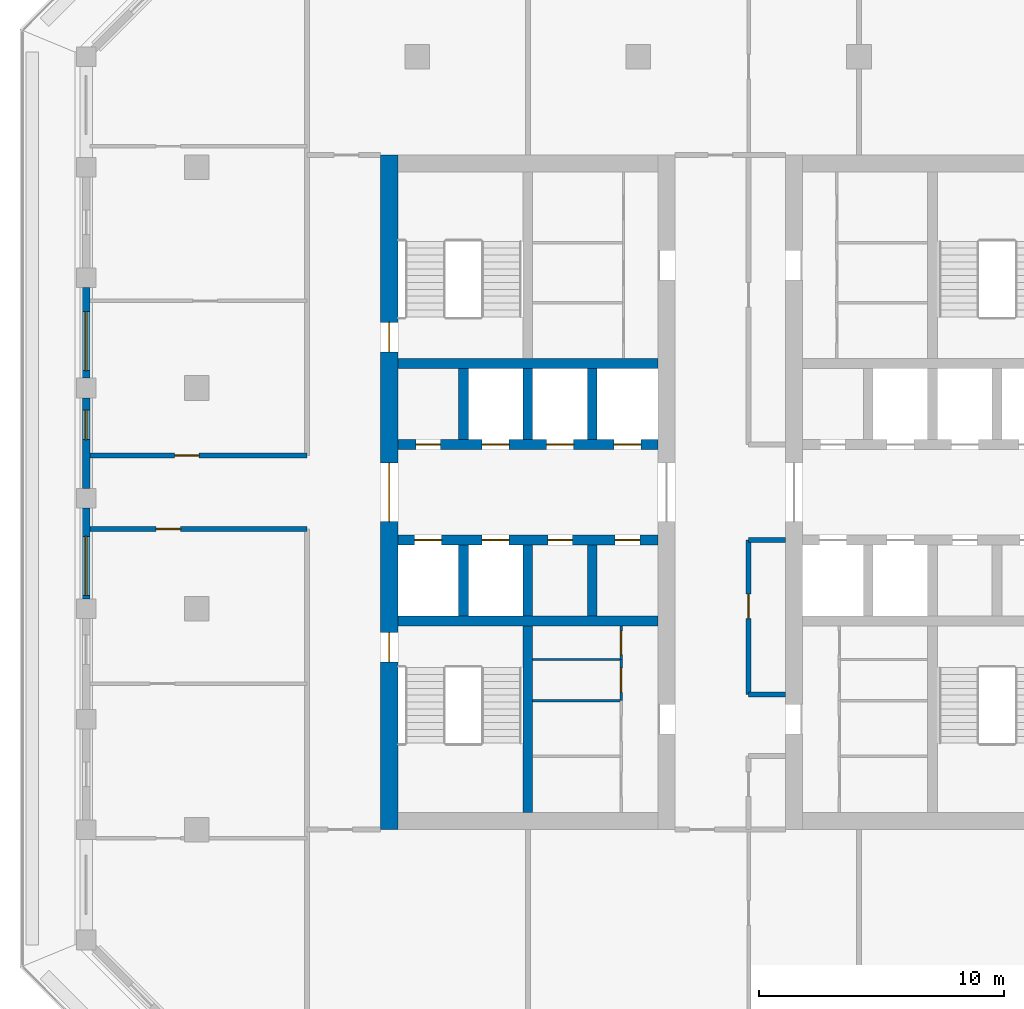
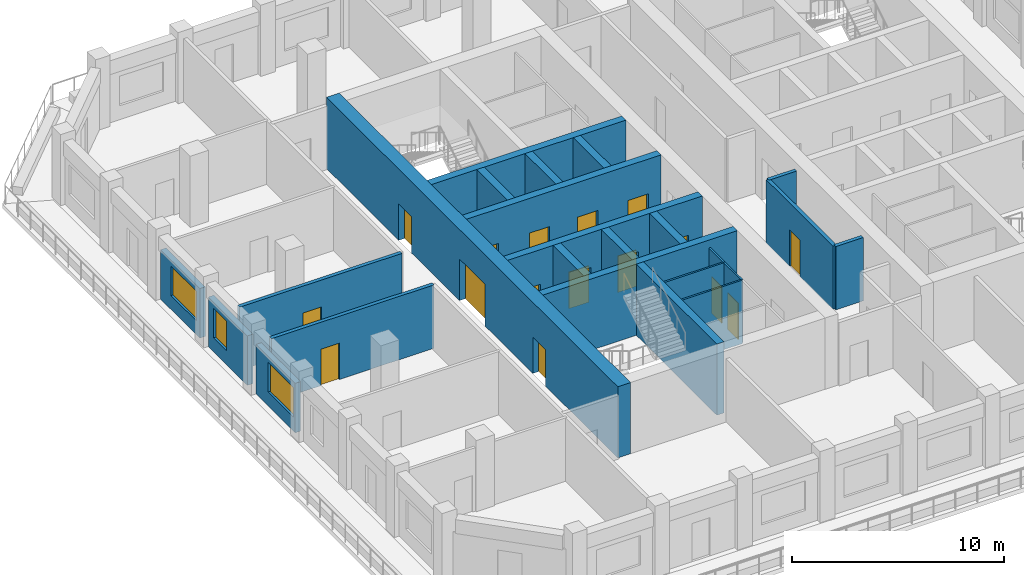
# One storey, part 3 of 14: 24 walls, 16 doors, 3 windows, 19 openings.
"""IFC4 building model written with IfcOpenShell, lengths in metres."""

from ifc_helpers import new_model, si_unit, direction, frame, frame_2d, origin, place, context, subcontext, project, spatial, rectangle, extrude, material, layer, layer_set, type_object, element, fill, save


model = new_model("IFC4")

# Units and contexts
model_context = context("Model", 3, precision=1e-05, world=origin(), true_north=direction((0.0, 1.0)))
body_context = subcontext(model_context, "Body", "Model", "MODEL_VIEW")
ifc_project = project(units=[si_unit("LENGTHUNIT", "METRE"), si_unit("AREAUNIT", "SQUARE_METRE"), si_unit("VOLUMEUNIT", "CUBIC_METRE"), si_unit("PLANEANGLEUNIT", "RADIAN"), si_unit("MASSUNIT", "GRAM", prefix="KILO")], contexts=[model_context])

# Site, building, storey
site_placement = place(None, origin())
site = spatial("IfcSite", under=ifc_project, at=site_placement, CompositionType="ELEMENT")
building_placement = place(site_placement, origin())
building = spatial("IfcBuilding", under=site, at=building_placement, Name="Corbel Stack Research Tower", CompositionType="ELEMENT")
storey_placement = place(building_placement, frame((0.0, 0.0, 286.800048828125)))
storey = spatial("IfcBuildingStorey", under=building, at=storey_placement, Name="L65", CompositionType="ELEMENT", Elevation=286.800048828125)

# Wall
ifc_material_1 = material(Name="Concrete C60/75", Category="concrete")
ifc_layer_1 = layer(ifc_material_1, 0.39990234375)
ifc_layer_set_1 = layer_set([ifc_layer_1], Name="Concrete C60/75")
wall_type_1 = type_object("IfcWallType", Name="CW-400-60", PredefinedType="SHEAR", material=ifc_layer_set_1)
wall_1_placement = place(storey_placement, frame((-9.800048828125, -0.5, 0.0), z_axis=(0.0, 0.0, 1.0), x_axis=(1.0, 0.0, 0.0)))
element("IfcWall", 1, at=wall_1_placement, inside=storey, type_object=wall_type_1, Name="West core wall, south row back L65", PredefinedType="SHEAR", context=body_context, shape_type="SweptSolid", body=[
    extrude(rectangle(XDim=10.60009765625, YDim=0.39990234375, at=frame_2d((5.300048828125, 0.0))), origin(), (0.0, 0.0, 1.0), 4.099853515625),
])

# Wall, openings, doors
wall_2_placement = place(storey_placement, frame((-9.800048828125, 2.800048828125, 0.0), z_axis=(0.0, 0.0, 1.0), x_axis=(1.0, 0.0, 0.0)))
wall_2 = element("IfcWall", 2, at=wall_2_placement, inside=storey, type_object=wall_type_1, Name="West core wall, lobby south L65", PredefinedType="SHEAR", context=body_context, shape_type="SweptSolid", body=[
    extrude(rectangle(XDim=10.60009765625, YDim=0.39990234375, at=frame_2d((5.300048828125, 0.0))), origin(), (0.0, 0.0, 1.0), 4.099853515625),
])
opening_1_placement = place(wall_2_placement, frame((0.6875, 0.0, 0.0)))
opening_1 = element("IfcOpeningElement", 3, at=opening_1_placement, cuts=wall_2, Name="Opening LD-FS1", PredefinedType="OPENING", context=body_context, shape_type="SweptSolid", body=[
    extrude(rectangle(XDim=1.10009765625, YDim=2.10009765625, at=frame_2d((0.550048828125, 1.050048828125))), frame((0.0, 0.2099609375, 0.0), z_axis=(0.0, -1.0, 0.0), x_axis=(1.0, 0.0, 0.0)), (0.0, 0.0, 1.0), 0.419921875),
])
opening_2_placement = place(wall_2_placement, frame((3.4375, 0.0, 0.0)))
opening_2 = element("IfcOpeningElement", 4, at=opening_2_placement, cuts=wall_2, Name="Opening LD-GL1", PredefinedType="OPENING", context=body_context, shape_type="SweptSolid", body=[
    extrude(rectangle(XDim=1.10009765625, YDim=2.10009765625, at=frame_2d((0.550048828125, 1.050048828125))), frame((0.0, 0.2099609375, 0.0), z_axis=(0.0, -1.0, 0.0), x_axis=(1.0, 0.0, 0.0)), (0.0, 0.0, 1.0), 0.419921875),
])
opening_3_placement = place(wall_2_placement, frame((6.112548828125, 0.0, 0.0)))
opening_3 = element("IfcOpeningElement", 5, at=opening_3_placement, cuts=wall_2, Name="Opening CR-W42-S3", PredefinedType="OPENING", context=body_context, shape_type="SweptSolid", body=[
    extrude(rectangle(XDim=1.0, YDim=2.10009765625, at=frame_2d((0.5, 1.050048828125))), frame((0.0, 0.2099609375, 0.0), z_axis=(0.0, -1.0, 0.0), x_axis=(1.0, 0.0, 0.0)), (0.0, 0.0, 1.0), 0.419921875),
])
opening_4_placement = place(wall_2_placement, frame((8.862548828125, 0.0, 0.0)))
opening_4 = element("IfcOpeningElement", 6, at=opening_4_placement, cuts=wall_2, Name="Opening CR-W42-S4", PredefinedType="OPENING", context=body_context, shape_type="SweptSolid", body=[
    extrude(rectangle(XDim=1.0, YDim=2.10009765625, at=frame_2d((0.5, 1.050048828125))), frame((0.0, 0.2099609375, 0.0), z_axis=(0.0, -1.0, 0.0), x_axis=(1.0, 0.0, 0.0)), (0.0, 0.0, 1.0), 0.419921875),
])
ifc_material_2 = material(Name="Stainless steel landing door", Category="steel")
door_type_1 = type_object("IfcDoorType", Name="Lift landing door 1100 x 2100", OperationType="DOUBLE_DOOR_SLIDING", PredefinedType="DOOR", material=ifc_material_2)
door_1_placement = place(opening_1_placement, origin())
door_1 = element("IfcDoor", 7, at=door_1_placement, inside=storey, type_object=door_type_1, Name="Landing door FS1", OperationType="DOUBLE_DOOR_SLIDING", OverallHeight=2.10009765625, OverallWidth=1.10009765625, PredefinedType="DOOR", context=body_context, shape_type="SweptSolid", body=[
    extrude(rectangle(XDim=1.10009765625, YDim=2.10009765625, at=frame_2d((0.550048828125, 1.050048828125))), frame((0.0, 0.02490234375, 0.0), z_axis=(0.0, -1.0, 0.0), x_axis=(1.0, 0.0, 0.0)), (0.0, 0.0, 1.0), 0.050048828125),
])
fill(opening_1, door_1)
door_2_placement = place(opening_2_placement, origin())
door_2 = element("IfcDoor", 8, at=door_2_placement, inside=storey, type_object=door_type_1, Name="Landing door GL1", OperationType="DOUBLE_DOOR_SLIDING", OverallHeight=2.10009765625, OverallWidth=1.10009765625, PredefinedType="DOOR", context=body_context, shape_type="SweptSolid", body=[
    extrude(rectangle(XDim=1.10009765625, YDim=2.10009765625, at=frame_2d((0.550048828125, 1.050048828125))), frame((0.0, 0.02490234375, 0.0), z_axis=(0.0, -1.0, 0.0), x_axis=(1.0, 0.0, 0.0)), (0.0, 0.0, 1.0), 0.050048828125),
])
fill(opening_2, door_2)
ifc_material_3 = material(Name="Painted steel door", Category="steel")
door_type_2 = type_object("IfcDoorType", Name="Service door 1000 x 2100 FD60 left hand", OperationType="SINGLE_SWING_LEFT", PredefinedType="DOOR", material=ifc_material_3)
door_3_placement = place(opening_3_placement, origin())
door_3 = element("IfcDoor", 9, at=door_3_placement, inside=storey, type_object=door_type_2, Name="Mechanical room door W core", OperationType="SINGLE_SWING_LEFT", OverallHeight=2.10009765625, OverallWidth=1.0, PredefinedType="DOOR", context=body_context, shape_type="SweptSolid", body=[
    extrude(rectangle(XDim=1.0, YDim=2.10009765625, at=frame_2d((0.5, 1.050048828125))), frame((0.0, 0.02490234375, 0.0), z_axis=(0.0, -1.0, 0.0), x_axis=(1.0, 0.0, 0.0)), (0.0, 0.0, 1.0), 0.050048828125),
])
fill(opening_3, door_3)
ifc_material_4 = material(Name="Painted steel door", Category="steel")
door_type_3 = type_object("IfcDoorType", Name="Service door 1000 x 2100 FD60 right hand", OperationType="SINGLE_SWING_RIGHT", PredefinedType="DOOR", material=ifc_material_4)
door_4_placement = place(opening_4_placement, origin())
door_4 = element("IfcDoor", 10, at=door_4_placement, inside=storey, type_object=door_type_3, Name="Telecom room door W core", OperationType="SINGLE_SWING_RIGHT", OverallHeight=2.10009765625, OverallWidth=1.0, PredefinedType="DOOR", context=body_context, shape_type="SweptSolid", body=[
    extrude(rectangle(XDim=1.0, YDim=2.10009765625, at=frame_2d((0.5, 1.050048828125))), frame((0.0, 0.02490234375, 0.0), z_axis=(0.0, -1.0, 0.0), x_axis=(1.0, 0.0, 0.0)), (0.0, 0.0, 1.0), 0.050048828125),
])
fill(opening_4, door_4)

wall_3_placement = place(storey_placement, frame((-9.800048828125, 6.699951171875, 0.0), z_axis=(0.0, 0.0, 1.0), x_axis=(1.0, 0.0, 0.0)))
wall_3 = element("IfcWall", 11, at=wall_3_placement, inside=storey, type_object=wall_type_1, Name="West core wall, lobby north L65", PredefinedType="SHEAR", context=body_context, shape_type="SweptSolid", body=[
    extrude(rectangle(XDim=10.60009765625, YDim=0.39990234375, at=frame_2d((5.300048828125, 0.0))), origin(), (0.0, 0.0, 1.0), 4.099853515625),
])
opening_5_placement = place(wall_3_placement, frame((3.4375, 0.0, 0.0)))
opening_5 = element("IfcOpeningElement", 12, at=opening_5_placement, cuts=wall_3, Name="Opening LD-HR1", PredefinedType="OPENING", context=body_context, shape_type="SweptSolid", body=[
    extrude(rectangle(XDim=1.10009765625, YDim=2.10009765625, at=frame_2d((0.550048828125, 1.050048828125))), frame((0.0, 0.2099609375, 0.0), z_axis=(0.0, -1.0, 0.0), x_axis=(1.0, 0.0, 0.0)), (0.0, 0.0, 1.0), 0.419921875),
])
opening_6_placement = place(wall_3_placement, frame((6.0625, 0.0, 0.0)))
opening_6 = element("IfcOpeningElement", 13, at=opening_6_placement, cuts=wall_3, Name="Opening LD-HR2", PredefinedType="OPENING", context=body_context, shape_type="SweptSolid", body=[
    extrude(rectangle(XDim=1.10009765625, YDim=2.10009765625, at=frame_2d((0.550048828125, 1.050048828125))), frame((0.0, 0.2099609375, 0.0), z_axis=(0.0, -1.0, 0.0), x_axis=(1.0, 0.0, 0.0)), (0.0, 0.0, 1.0), 0.419921875),
])
opening_7_placement = place(wall_3_placement, frame((8.8125, 0.0, 0.0)))
opening_7 = element("IfcOpeningElement", 14, at=opening_7_placement, cuts=wall_3, Name="Opening LD-HR3", PredefinedType="OPENING", context=body_context, shape_type="SweptSolid", body=[
    extrude(rectangle(XDim=1.10009765625, YDim=2.10009765625, at=frame_2d((0.550048828125, 1.050048828125))), frame((0.0, 0.2099609375, 0.0), z_axis=(0.0, -1.0, 0.0), x_axis=(1.0, 0.0, 0.0)), (0.0, 0.0, 1.0), 0.419921875),
])
opening_8_placement = place(wall_3_placement, frame((0.737548828125, 0.0, 0.0)))
opening_8 = element("IfcOpeningElement", 15, at=opening_8_placement, cuts=wall_3, Name="Opening CR-W42-N1", PredefinedType="OPENING", context=body_context, shape_type="SweptSolid", body=[
    extrude(rectangle(XDim=1.0, YDim=2.10009765625, at=frame_2d((0.5, 1.050048828125))), frame((0.0, 0.2099609375, 0.0), z_axis=(0.0, -1.0, 0.0), x_axis=(1.0, 0.0, 0.0)), (0.0, 0.0, 1.0), 0.419921875),
])
door_5_placement = place(opening_5_placement, origin())
door_5 = element("IfcDoor", 16, at=door_5_placement, inside=storey, type_object=door_type_1, Name="Landing door HR1", OperationType="DOUBLE_DOOR_SLIDING", OverallHeight=2.10009765625, OverallWidth=1.10009765625, PredefinedType="DOOR", context=body_context, shape_type="SweptSolid", body=[
    extrude(rectangle(XDim=1.10009765625, YDim=2.10009765625, at=frame_2d((0.550048828125, 1.050048828125))), frame((0.0, 0.02490234375, 0.0), z_axis=(0.0, -1.0, 0.0), x_axis=(1.0, 0.0, 0.0)), (0.0, 0.0, 1.0), 0.050048828125),
])
fill(opening_5, door_5)
door_6_placement = place(opening_6_placement, origin())
door_6 = element("IfcDoor", 17, at=door_6_placement, inside=storey, type_object=door_type_1, Name="Landing door HR2", OperationType="DOUBLE_DOOR_SLIDING", OverallHeight=2.10009765625, OverallWidth=1.10009765625, PredefinedType="DOOR", context=body_context, shape_type="SweptSolid", body=[
    extrude(rectangle(XDim=1.10009765625, YDim=2.10009765625, at=frame_2d((0.550048828125, 1.050048828125))), frame((0.0, 0.02490234375, 0.0), z_axis=(0.0, -1.0, 0.0), x_axis=(1.0, 0.0, 0.0)), (0.0, 0.0, 1.0), 0.050048828125),
])
fill(opening_6, door_6)
door_7_placement = place(opening_7_placement, origin())
door_7 = element("IfcDoor", 18, at=door_7_placement, inside=storey, type_object=door_type_1, Name="Landing door HR3", OperationType="DOUBLE_DOOR_SLIDING", OverallHeight=2.10009765625, OverallWidth=1.10009765625, PredefinedType="DOOR", context=body_context, shape_type="SweptSolid", body=[
    extrude(rectangle(XDim=1.10009765625, YDim=2.10009765625, at=frame_2d((0.550048828125, 1.050048828125))), frame((0.0, 0.02490234375, 0.0), z_axis=(0.0, -1.0, 0.0), x_axis=(1.0, 0.0, 0.0)), (0.0, 0.0, 1.0), 0.050048828125),
])
fill(opening_7, door_7)
door_8_placement = place(opening_8_placement, origin())
door_8 = element("IfcDoor", 19, at=door_8_placement, inside=storey, type_object=door_type_2, Name="Copy and supply store door W core", OperationType="SINGLE_SWING_LEFT", OverallHeight=2.10009765625, OverallWidth=1.0, PredefinedType="DOOR", context=body_context, shape_type="SweptSolid", body=[
    extrude(rectangle(XDim=1.0, YDim=2.10009765625, at=frame_2d((0.5, 1.050048828125))), frame((0.0, 0.02490234375, 0.0), z_axis=(0.0, -1.0, 0.0), x_axis=(1.0, 0.0, 0.0)), (0.0, 0.0, 1.0), 0.050048828125),
])
fill(opening_8, door_8)

# Walls
wall_4_placement = place(storey_placement, frame((-9.800048828125, 10.0, 0.0), z_axis=(0.0, 0.0, 1.0), x_axis=(1.0, 0.0, 0.0)))
element("IfcWall", 20, at=wall_4_placement, inside=storey, type_object=wall_type_1, Name="West core wall, north row back L65", PredefinedType="SHEAR", context=body_context, shape_type="SweptSolid", body=[
    extrude(rectangle(XDim=10.60009765625, YDim=0.39990234375, at=frame_2d((5.300048828125, 0.0))), origin(), (0.0, 0.0, 1.0), 4.099853515625),
])
for number, where, z_axis, x_axis, name in (
    (21, (-7.125, -0.300048828125, 0.0), (0.0, 0.0, 1.0), (0.0, 1.0, 0.0), "West core wall, south shaft 1 L65"),
    (22, (-7.125, 6.89990234375, 0.0), (0.0, 0.0, 1.0), (0.0, 1.0, 0.0), "West core wall, north shaft 1 L65"),
    (23, (-4.5, -0.300048828125, 0.0), (0.0, 0.0, 1.0), (0.0, 1.0, 0.0), "West core wall, south shaft 2 L65"),
    (24, (-4.5, 6.89990234375, 0.0), (0.0, 0.0, 1.0), (0.0, 1.0, 0.0), "West core wall, north shaft 2 L65"),
    (25, (-1.875, -0.300048828125, 0.0), (0.0, 0.0, 1.0), (0.0, 1.0, 0.0), "West core wall, south shaft 3 L65"),
    (26, (-1.875, 6.89990234375, 0.0), (0.0, 0.0, 1.0), (0.0, 1.0, 0.0), "West core wall, north shaft 3 L65"),
):
    element("IfcWall", number, at=place(storey_placement, frame(where, z_axis=z_axis, x_axis=x_axis)), inside=storey, type_object=wall_type_1, Name=name, PredefinedType="SHEAR", context=body_context, shape_type="SweptSolid", body=[
        extrude(rectangle(XDim=2.900146484375, YDim=0.39990234375, at=frame_2d((1.4501953125, 0.0))), origin(), (0.0, 0.0, 1.0), 4.099853515625),
    ])
wall_5_placement = place(storey_placement, frame((-4.5, -8.300048828125, 0.0), z_axis=(0.0, 0.0, 1.0), x_axis=(0.0, 1.0, 0.0)))
element("IfcWall", 27, at=wall_5_placement, inside=storey, type_object=wall_type_1, Name="West core wall, south stair and WC L65", PredefinedType="SHEAR", context=body_context, shape_type="SweptSolid", body=[
    extrude(rectangle(XDim=7.60009765625, YDim=0.39990234375, at=frame_2d((3.800048828125, 0.0))), origin(), (0.0, 0.0, 1.0), 4.099853515625),
])

# Wall, openings, doors
ifc_material_5 = material(Name="Concrete C60/75", Category="concrete")
ifc_layer_2 = layer(ifc_material_5, 0.699951171875)
ifc_layer_set_2 = layer_set([ifc_layer_2], Name="Concrete C60/75")
wall_type_2 = type_object("IfcWallType", Name="CW-700-60", PredefinedType="SHEAR", material=ifc_layer_set_2)
wall_6_placement = place(storey_placement, frame((-10.14990234375, -9.0, 0.0), z_axis=(0.0, 0.0, 1.0), x_axis=(0.0, 1.0, 0.0)))
wall_6 = element("IfcWall", 28, at=wall_6_placement, inside=storey, type_object=wall_type_2, Name="West core wall, west face L65", PredefinedType="SHEAR", context=body_context, shape_type="SweptSolid", body=[
    extrude(rectangle(XDim=27.5, YDim=0.699951171875, at=frame_2d((13.75, 0.0))), origin(), (0.0, 0.0, 1.0), 4.099853515625),
])
opening_9_placement = place(wall_6_placement, frame((12.550048828125, 0.0, 0.0)))
opening_9 = element("IfcOpeningElement", 29, at=opening_9_placement, cuts=wall_6, Name="Opening CD-W-W", PredefinedType="OPENING", context=body_context, shape_type="SweptSolid", body=[
    extrude(rectangle(XDim=2.39990234375, YDim=2.39990234375, at=frame_2d((1.199951171875, 1.199951171875))), frame((0.0, 0.35986328125, 0.0), z_axis=(0.0, -1.0, 0.0), x_axis=(1.0, 0.0, 0.0)), (0.0, 0.0, 1.0), 0.719970703125),
])
opening_10_placement = place(wall_6_placement, frame((6.824951171875, 0.0, 0.0)))
opening_10 = element("IfcOpeningElement", 30, at=opening_10_placement, cuts=wall_6, Name="Opening SD-ST-W1", PredefinedType="OPENING", context=body_context, shape_type="SweptSolid", body=[
    extrude(rectangle(XDim=1.199951171875, YDim=2.10009765625, at=frame_2d((0.60009765625, 1.050048828125))), frame((0.0, 0.35986328125, 0.0), z_axis=(0.0, -1.0, 0.0), x_axis=(1.0, 0.0, 0.0)), (0.0, 0.0, 1.0), 0.719970703125),
])
opening_11_placement = place(wall_6_placement, frame((19.47509765625, 0.0, 0.0)))
opening_11 = element("IfcOpeningElement", 31, at=opening_11_placement, cuts=wall_6, Name="Opening SD-ST-W2", PredefinedType="OPENING", context=body_context, shape_type="SweptSolid", body=[
    extrude(rectangle(XDim=1.199951171875, YDim=2.10009765625, at=frame_2d((0.60009765625, 1.050048828125))), frame((0.0, 0.35986328125, 0.0), z_axis=(0.0, -1.0, 0.0), x_axis=(1.0, 0.0, 0.0)), (0.0, 0.0, 1.0), 0.719970703125),
])
ifc_material_6 = material(Name="Painted steel fire door", Category="steel")
door_type_4 = type_object("IfcDoorType", Name="Lobby door pair 2400 x 2400 FD30S", OperationType="DOUBLE_DOOR_DOUBLE_SWING", PredefinedType="DOOR", material=ifc_material_6)
door_9_placement = place(opening_9_placement, origin())
door_9 = element("IfcDoor", 32, at=door_9_placement, inside=storey, type_object=door_type_4, Name="Lift lobby door W core W", OperationType="DOUBLE_DOOR_DOUBLE_SWING", OverallHeight=2.39990234375, OverallWidth=2.39990234375, PredefinedType="DOOR", context=body_context, shape_type="SweptSolid", body=[
    extrude(rectangle(XDim=2.39990234375, YDim=2.39990234375, at=frame_2d((1.199951171875, 1.199951171875))), frame((0.0, 0.02490234375, 0.0), z_axis=(0.0, -1.0, 0.0), x_axis=(1.0, 0.0, 0.0)), (0.0, 0.0, 1.0), 0.050048828125),
])
fill(opening_9, door_9)
ifc_material_7 = material(Name="Painted steel fire door", Category="steel")
door_type_5 = type_object("IfcDoorType", Name="Stair door 1200 x 2100 FD90 left hand", OperationType="SINGLE_SWING_LEFT", PredefinedType="DOOR", material=ifc_material_7)
door_10_placement = place(opening_10_placement, origin())
door_10 = element("IfcDoor", 33, at=door_10_placement, inside=storey, type_object=door_type_5, Name="Stair door ST-W1", OperationType="SINGLE_SWING_LEFT", OverallHeight=2.10009765625, OverallWidth=1.199951171875, PredefinedType="DOOR", context=body_context, shape_type="SweptSolid", body=[
    extrude(rectangle(XDim=1.199951171875, YDim=2.10009765625, at=frame_2d((0.60009765625, 1.050048828125))), frame((0.0, 0.02490234375, 0.0), z_axis=(0.0, -1.0, 0.0), x_axis=(1.0, 0.0, 0.0)), (0.0, 0.0, 1.0), 0.050048828125),
])
fill(opening_10, door_10)
door_11_placement = place(opening_11_placement, origin())
door_11 = element("IfcDoor", 34, at=door_11_placement, inside=storey, type_object=door_type_5, Name="Stair door ST-W2", OperationType="SINGLE_SWING_LEFT", OverallHeight=2.10009765625, OverallWidth=1.199951171875, PredefinedType="DOOR", context=body_context, shape_type="SweptSolid", body=[
    extrude(rectangle(XDim=1.199951171875, YDim=2.10009765625, at=frame_2d((0.60009765625, 1.050048828125))), frame((0.0, 0.02490234375, 0.0), z_axis=(0.0, -1.0, 0.0), x_axis=(1.0, 0.0, 0.0)), (0.0, 0.0, 1.0), 0.050048828125),
])
fill(opening_11, door_11)

# Wall, opening, door
ifc_material_8 = material(Name="Gypsum board")
ifc_layer_3 = layer(ifc_material_8, 0.10009765625)
ifc_layer_set_3 = layer_set([ifc_layer_3], Name="Gypsum board")
wall_type_3 = type_object("IfcWallType", Name="Core partition 100", PredefinedType="PARTITIONING", material=ifc_layer_set_3)
wall_7_placement = place(storey_placement, frame((-0.699951171875, -3.739990234375, 0.0), z_axis=(0.0, 0.0, 1.0), x_axis=(0.0, 1.0, 0.0)))
wall_7 = element("IfcWall", 35, at=wall_7_placement, inside=storey, type_object=wall_type_3, Name="Core partition W", PredefinedType="PARTITIONING", context=body_context, shape_type="SweptSolid", body=[
    extrude(rectangle(XDim=1.671875, YDim=0.10009765625, at=frame_2d((0.8359375, 0.0))), origin(), (0.0, 0.0, 1.0), 3.64990234375),
])
opening_12_placement = place(wall_7_placement, frame((0.3359375, 0.0, 0.0)))
opening_12 = element("IfcOpeningElement", 36, at=opening_12_placement, cuts=wall_7, Name="Opening CR-W42-W4-1000", PredefinedType="OPENING", context=body_context, shape_type="SweptSolid", body=[
    extrude(rectangle(XDim=1.0, YDim=2.10009765625, at=frame_2d((0.5, 1.050048828125))), frame((0.0, 0.06005859375, 0.0), z_axis=(0.0, -1.0, 0.0), x_axis=(1.0, 0.0, 0.0)), (0.0, 0.0, 1.0), 0.1201171875),
])
ifc_material_9 = material(Name="Painted timber door", Category="wood")
door_type_6 = type_object("IfcDoorType", Name="WC door 1000 x 2100 right hand", OperationType="SINGLE_SWING_RIGHT", PredefinedType="DOOR", material=ifc_material_9)
door_12_placement = place(opening_12_placement, origin())
door_12 = element("IfcDoor", 37, at=door_12_placement, inside=storey, type_object=door_type_6, Name="Accessible WC door W core", OperationType="SINGLE_SWING_RIGHT", OverallHeight=2.10009765625, OverallWidth=1.0, PredefinedType="DOOR", context=body_context, shape_type="SweptSolid", body=[
    extrude(rectangle(XDim=1.0, YDim=2.10009765625, at=frame_2d((0.5, 1.050048828125))), frame((0.0, 0.02490234375, 0.0), z_axis=(0.0, -1.0, 0.0), x_axis=(1.0, 0.0, 0.0)), (0.0, 0.0, 1.0), 0.050048828125),
])
fill(opening_12, door_12)

wall_8_placement = place(storey_placement, frame((-0.699951171875, -2.068115234375, 0.0), z_axis=(0.0, 0.0, 1.0), x_axis=(0.0, 1.0, 0.0)))
wall_8 = element("IfcWall", 38, at=wall_8_placement, inside=storey, type_object=wall_type_3, Name="Core partition W", PredefinedType="PARTITIONING", context=body_context, shape_type="SweptSolid", body=[
    extrude(rectangle(XDim=1.3681640625, YDim=0.10009765625, at=frame_2d((0.68408203125, 0.0))), origin(), (0.0, 0.0, 1.0), 3.64990234375),
])
opening_13_placement = place(wall_8_placement, frame((0.199951171875, 0.0, 0.0)))
opening_13 = element("IfcOpeningElement", 39, at=opening_13_placement, cuts=wall_8, Name="Opening CR-W42-W5-968", PredefinedType="OPENING", context=body_context, shape_type="SweptSolid", body=[
    extrude(rectangle(XDim=0.968017578125, YDim=2.10009765625, at=frame_2d((0.48388671875, 1.050048828125))), frame((0.0, 0.06005859375, 0.0), z_axis=(0.0, -1.0, 0.0), x_axis=(1.0, 0.0, 0.0)), (0.0, 0.0, 1.0), 0.1201171875),
])
ifc_material_10 = material(Name="Painted steel door", Category="steel")
door_type_7 = type_object("IfcDoorType", Name="Service door 968 x 2100 FD30 left hand", OperationType="SINGLE_SWING_LEFT", PredefinedType="DOOR", material=ifc_material_10)
door_13_placement = place(opening_13_placement, origin())
door_13 = element("IfcDoor", 40, at=door_13_placement, inside=storey, type_object=door_type_7, Name="Cleaner's store door W core", OperationType="SINGLE_SWING_LEFT", OverallHeight=2.10009765625, OverallWidth=0.968017578125, PredefinedType="DOOR", context=body_context, shape_type="SweptSolid", body=[
    extrude(rectangle(XDim=0.968017578125, YDim=2.10009765625, at=frame_2d((0.48388671875, 1.050048828125))), frame((0.0, 0.02490234375, 0.0), z_axis=(0.0, -1.0, 0.0), x_axis=(1.0, 0.0, 0.0)), (0.0, 0.0, 1.0), 0.050048828125),
])
fill(opening_13, door_13)

# Walls
for number, where, z_axis, x_axis, name in (
    (41, (-4.300048828125, -3.739990234375, 0.0), (0.0, 0.0, 1.0), (1.0, 0.0, 0.0), "Core partition W"),
    (42, (-4.300048828125, -2.068115234375, 0.0), (0.0, 0.0, 1.0), (1.0, 0.0, 0.0), "Core partition W"),
):
    element("IfcWall", number, at=place(storey_placement, frame(where, z_axis=z_axis, x_axis=x_axis)), inside=storey, type_object=wall_type_3, Name=name, PredefinedType="PARTITIONING", context=body_context, shape_type="SweptSolid", body=[
        extrude(rectangle(XDim=3.60009765625, YDim=0.10009765625, at=frame_2d((1.800048828125, 0.0))), origin(), (0.0, 0.0, 1.0), 3.64990234375),
    ])

# Wall, opening, door
ifc_material_11 = material(Name="Fire-rated gypsum board partition on steel studs", Category="steel")
ifc_layer_4 = layer(ifc_material_11, 0.199951171875)
ifc_layer_set_4 = layer_set([ifc_layer_4], Name="Fire-rated gypsum board partition on steel studs")
wall_type_4 = type_object("IfcWallType", Name="Fire-rated partition 200 EI 60", PredefinedType="PARTITIONING", material=ifc_layer_set_4)
wall_9_placement = place(storey_placement, frame((4.5, 2.800048828125, 0.0), z_axis=(0.0, 0.0, 1.0), x_axis=(0.0, -1.0, 0.0)))
wall_9 = element("IfcWall", 43, at=wall_9_placement, inside=storey, type_object=wall_type_4, Name="Partition L65-008", PredefinedType="PARTITIONING", context=body_context, shape_type="SweptSolid", body=[
    extrude(rectangle(XDim=6.300048828125, YDim=0.199951171875, at=frame_2d((3.14990234375, 0.0))), origin(), (0.0, 0.0, 1.0), 3.64990234375),
])
opening_14_placement = place(wall_9_placement, frame((2.199951171875, 0.0, 0.0)))
opening_14 = element("IfcOpeningElement", 44, at=opening_14_placement, cuts=wall_9, Name="Opening B8V2-009", PredefinedType="OPENING", context=body_context, shape_type="SweptSolid", body=[
    extrude(rectangle(XDim=1.0, YDim=2.10009765625, at=frame_2d((0.5, 1.050048828125))), frame((0.0, 0.10986328125, 0.0), z_axis=(0.0, -1.0, 0.0), x_axis=(1.0, 0.0, 0.0)), (0.0, 0.0, 1.0), 0.219970703125),
])
ifc_material_12 = material(Name="Painted steel fire door", Category="steel")
door_type_8 = type_object("IfcDoorType", Name="Fire door FD30S 1000 x 2100", OperationType="NOTDEFINED", PredefinedType="DOOR", material=ifc_material_12)
door_14_placement = place(opening_14_placement, origin())
door_14 = element("IfcDoor", 45, at=door_14_placement, inside=storey, type_object=door_type_8, Name="Door B8V2-009", OperationType="SINGLE_SWING_LEFT", OverallHeight=2.10009765625, OverallWidth=1.0, PredefinedType="DOOR", context=body_context, shape_type="SweptSolid", body=[
    extrude(rectangle(XDim=1.0, YDim=2.10009765625, at=frame_2d((0.5, 1.050048828125))), frame((0.0, 0.02490234375, 0.0), z_axis=(0.0, -1.0, 0.0), x_axis=(1.0, 0.0, 0.0)), (0.0, 0.0, 1.0), 0.050048828125),
])
fill(opening_14, door_14)

# Walls
for number, where, z_axis, x_axis, name in (
    (46, (4.5, -3.5, 0.0), (0.0, 0.0, 1.0), (1.0, 0.0, 0.0), "Partition L65-019"),
    (47, (4.5, 2.800048828125, 0.0), (0.0, 0.0, 1.0), (1.0, 0.0, 0.0), "Partition L65-021"),
):
    element("IfcWall", number, at=place(storey_placement, frame(where, z_axis=z_axis, x_axis=x_axis)), inside=storey, type_object=wall_type_4, Name=name, PredefinedType="PARTITIONING", context=body_context, shape_type="SweptSolid", body=[
        extrude(rectangle(XDim=1.5, YDim=0.199951171875, at=frame_2d((0.75, 0.0))), origin(), (0.0, 0.0, 1.0), 3.64990234375),
    ])

# Wall, opening, door
wall_10_placement = place(storey_placement, frame((-13.5, 3.25, 0.0), z_axis=(0.0, 0.0, 1.0), x_axis=(-1.0, 0.0, 0.0)))
wall_10 = element("IfcWall", 48, at=wall_10_placement, inside=storey, type_object=wall_type_4, Name="Partition L65-022", PredefinedType="PARTITIONING", context=body_context, shape_type="SweptSolid", body=[
    extrude(rectangle(XDim=8.85009765625, YDim=0.199951171875, at=frame_2d((4.425048828125, 0.0))), origin(), (0.0, 0.0, 1.0), 3.64990234375),
])
opening_15_placement = place(wall_10_placement, frame((5.14990234375, 0.0, 0.0)))
opening_15 = element("IfcOpeningElement", 49, at=opening_15_placement, cuts=wall_10, Name="Opening B8V2-006", PredefinedType="OPENING", context=body_context, shape_type="SweptSolid", body=[
    extrude(rectangle(XDim=1.0, YDim=2.10009765625, at=frame_2d((0.5, 1.050048828125))), frame((0.0, 0.10986328125, 0.0), z_axis=(0.0, -1.0, 0.0), x_axis=(1.0, 0.0, 0.0)), (0.0, 0.0, 1.0), 0.219970703125),
])
door_15_placement = place(opening_15_placement, origin())
door_15 = element("IfcDoor", 50, at=door_15_placement, inside=storey, type_object=door_type_8, Name="Door B8V2-006", OperationType="SINGLE_SWING_RIGHT", OverallHeight=2.10009765625, OverallWidth=1.0, PredefinedType="DOOR", context=body_context, shape_type="SweptSolid", body=[
    extrude(rectangle(XDim=1.0, YDim=2.10009765625, at=frame_2d((0.5, 1.050048828125))), frame((0.0, 0.02490234375, 0.0), z_axis=(0.0, -1.0, 0.0), x_axis=(1.0, 0.0, 0.0)), (0.0, 0.0, 1.0), 0.050048828125),
])
fill(opening_15, door_15)

wall_11_placement = place(storey_placement, frame((-22.35009765625, 6.25, 0.0), z_axis=(0.0, 0.0, 1.0), x_axis=(1.0, 0.0, 0.0)))
wall_11 = element("IfcWall", 51, at=wall_11_placement, inside=storey, type_object=wall_type_4, Name="Partition L65-023", PredefinedType="PARTITIONING", context=body_context, shape_type="SweptSolid", body=[
    extrude(rectangle(XDim=8.85009765625, YDim=0.199951171875, at=frame_2d((4.425048828125, 0.0))), origin(), (0.0, 0.0, 1.0), 3.64990234375),
])
opening_16_placement = place(wall_11_placement, frame((3.449951171875, 0.0, 0.0)))
opening_16 = element("IfcOpeningElement", 52, at=opening_16_placement, cuts=wall_11, Name="Opening B8V2-012", PredefinedType="OPENING", context=body_context, shape_type="SweptSolid", body=[
    extrude(rectangle(XDim=1.0, YDim=2.10009765625, at=frame_2d((0.5, 1.050048828125))), frame((0.0, 0.10986328125, 0.0), z_axis=(0.0, -1.0, 0.0), x_axis=(1.0, 0.0, 0.0)), (0.0, 0.0, 1.0), 0.219970703125),
])
door_16_placement = place(opening_16_placement, origin())
door_16 = element("IfcDoor", 53, at=door_16_placement, inside=storey, type_object=door_type_8, Name="Door B8V2-012", OperationType="SINGLE_SWING_LEFT", OverallHeight=2.10009765625, OverallWidth=1.0, PredefinedType="DOOR", context=body_context, shape_type="SweptSolid", body=[
    extrude(rectangle(XDim=1.0, YDim=2.10009765625, at=frame_2d((0.5, 1.050048828125))), frame((0.0, 0.02490234375, 0.0), z_axis=(0.0, -1.0, 0.0), x_axis=(1.0, 0.0, 0.0)), (0.0, 0.0, 1.0), 0.050048828125),
])
fill(opening_16, door_16)

# Wall, opening, window
ifc_material_13 = material(Name="Concrete C45/55", Category="concrete")
ifc_layer_5 = layer(ifc_material_13, 0.300048828125)
ifc_layer_set_5 = layer_set([ifc_layer_5], Name="Concrete C45/55")
wall_type_5 = type_object("IfcWallType", Name="Terracotta-faced concrete wall 300", PredefinedType="SOLIDWALL", material=ifc_layer_set_5)
wall_12_placement = place(storey_placement, frame((-22.5, 9.39990234375, 0.0), z_axis=(0.0, 0.0, 1.0), x_axis=(0.0, 1.0, 0.0)))
wall_12 = element("IfcWall", 54, at=wall_12_placement, inside=storey, type_object=wall_type_5, Name="Facade wall L65 W03", PredefinedType="SOLIDWALL", context=body_context, shape_type="SweptSolid", body=[
    extrude(rectangle(XDim=3.7001953125, YDim=0.300048828125, at=frame_2d((1.85009765625, 0.0))), origin(), (0.0, 0.0, 1.0), 2.849853515625),
])
opening_17_placement = place(wall_12_placement, frame((0.3125, 0.0, 0.800048828125)))
opening_17 = element("IfcOpeningElement", 55, at=opening_17_placement, cuts=wall_12, Name="Opening W1", PredefinedType="OPENING", context=body_context, shape_type="SweptSolid", body=[
    extrude(rectangle(XDim=2.39990234375, YDim=1.699951171875, at=frame_2d((1.199951171875, 0.85009765625))), frame((0.0, 0.159912109375, 0.0), z_axis=(0.0, -1.0, 0.0), x_axis=(1.0, 0.0, 0.0)), (0.0, 0.0, 1.0), 0.320068359375),
])
ifc_material_14 = material(Name="Aluminium frame, clear double glazing", Category="aluminium")
window_type_1 = type_object("IfcWindowType", Name="Window W1 2400 x 1700", PartitioningType="SINGLE_PANEL", PredefinedType="WINDOW", material=ifc_material_14)
window_1_placement = place(opening_17_placement, origin())
window_1 = element("IfcWindow", 56, at=window_1_placement, inside=storey, type_object=window_type_1, Name="Window W1 L65 W03", OverallHeight=1.699951171875, OverallWidth=2.39990234375, PartitioningType="SINGLE_PANEL", PredefinedType="WINDOW", context=body_context, shape_type="SweptSolid", body=[
    extrude(rectangle(XDim=2.39990234375, YDim=1.699951171875, at=frame_2d((1.199951171875, 0.85009765625))), frame((0.0, 0.030029296875, 0.0), z_axis=(0.0, -1.0, 0.0), x_axis=(1.0, 0.0, 0.0)), (0.0, 0.0, 1.0), 0.06005859375),
])
fill(opening_17, window_1)

wall_13_placement = place(storey_placement, frame((-22.5, 4.89990234375, 0.0), z_axis=(0.0, 0.0, 1.0), x_axis=(0.0, 1.0, 0.0)))
wall_13 = element("IfcWall", 57, at=wall_13_placement, inside=storey, type_object=wall_type_5, Name="Facade wall L65 W04", PredefinedType="SOLIDWALL", context=body_context, shape_type="SweptSolid", body=[
    extrude(rectangle(XDim=3.7001953125, YDim=0.300048828125, at=frame_2d((1.85009765625, 0.0))), origin(), (0.0, 0.0, 1.0), 2.849853515625),
])
opening_18_placement = place(wall_13_placement, frame((2.0, 0.0, 0.800048828125)))
opening_18 = element("IfcOpeningElement", 58, at=opening_18_placement, cuts=wall_13, Name="Opening W2", PredefinedType="OPENING", context=body_context, shape_type="SweptSolid", body=[
    extrude(rectangle(XDim=1.199951171875, YDim=1.699951171875, at=frame_2d((0.60009765625, 0.85009765625))), frame((0.0, 0.159912109375, 0.0), z_axis=(0.0, -1.0, 0.0), x_axis=(1.0, 0.0, 0.0)), (0.0, 0.0, 1.0), 0.320068359375),
])
ifc_material_15 = material(Name="Aluminium frame, clear double glazing", Category="aluminium")
window_type_2 = type_object("IfcWindowType", Name="Window W2 1200 x 1700", PartitioningType="SINGLE_PANEL", PredefinedType="WINDOW", material=ifc_material_15)
window_2_placement = place(opening_18_placement, origin())
window_2 = element("IfcWindow", 59, at=window_2_placement, inside=storey, type_object=window_type_2, Name="Window W2 L65 W04", OverallHeight=1.699951171875, OverallWidth=1.199951171875, PartitioningType="SINGLE_PANEL", PredefinedType="WINDOW", context=body_context, shape_type="SweptSolid", body=[
    extrude(rectangle(XDim=1.199951171875, YDim=1.699951171875, at=frame_2d((0.60009765625, 0.85009765625))), frame((0.0, 0.030029296875, 0.0), z_axis=(0.0, -1.0, 0.0), x_axis=(1.0, 0.0, 0.0)), (0.0, 0.0, 1.0), 0.06005859375),
])
fill(opening_18, window_2)

wall_14_placement = place(storey_placement, frame((-22.5, 0.39990234375, 0.0), z_axis=(0.0, 0.0, 1.0), x_axis=(0.0, 1.0, 0.0)))
wall_14 = element("IfcWall", 60, at=wall_14_placement, inside=storey, type_object=wall_type_5, Name="Facade wall L65 W05", PredefinedType="SOLIDWALL", context=body_context, shape_type="SweptSolid", body=[
    extrude(rectangle(XDim=3.7001953125, YDim=0.300048828125, at=frame_2d((1.85009765625, 0.0))), origin(), (0.0, 0.0, 1.0), 2.849853515625),
])
opening_19_placement = place(wall_14_placement, frame((0.14990234375, 0.0, 0.800048828125)))
opening_19 = element("IfcOpeningElement", 61, at=opening_19_placement, cuts=wall_14, Name="Opening W1", PredefinedType="OPENING", context=body_context, shape_type="SweptSolid", body=[
    extrude(rectangle(XDim=2.39990234375, YDim=1.699951171875, at=frame_2d((1.199951171875, 0.85009765625))), frame((0.0, 0.159912109375, 0.0), z_axis=(0.0, -1.0, 0.0), x_axis=(1.0, 0.0, 0.0)), (0.0, 0.0, 1.0), 0.320068359375),
])
window_3_placement = place(opening_19_placement, origin())
window_3 = element("IfcWindow", 62, at=window_3_placement, inside=storey, type_object=window_type_1, Name="Window W1 L65 W05", OverallHeight=1.699951171875, OverallWidth=2.39990234375, PartitioningType="SINGLE_PANEL", PredefinedType="WINDOW", context=body_context, shape_type="SweptSolid", body=[
    extrude(rectangle(XDim=2.39990234375, YDim=1.699951171875, at=frame_2d((1.199951171875, 0.85009765625))), frame((0.0, 0.030029296875, 0.0), z_axis=(0.0, -1.0, 0.0), x_axis=(1.0, 0.0, 0.0)), (0.0, 0.0, 1.0), 0.06005859375),
])
fill(opening_19, window_3)

save(model, "model.ifc")
